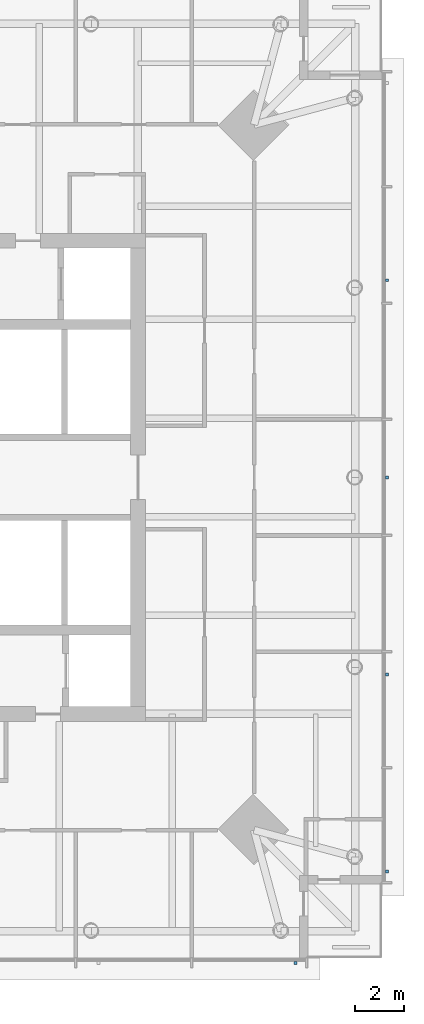
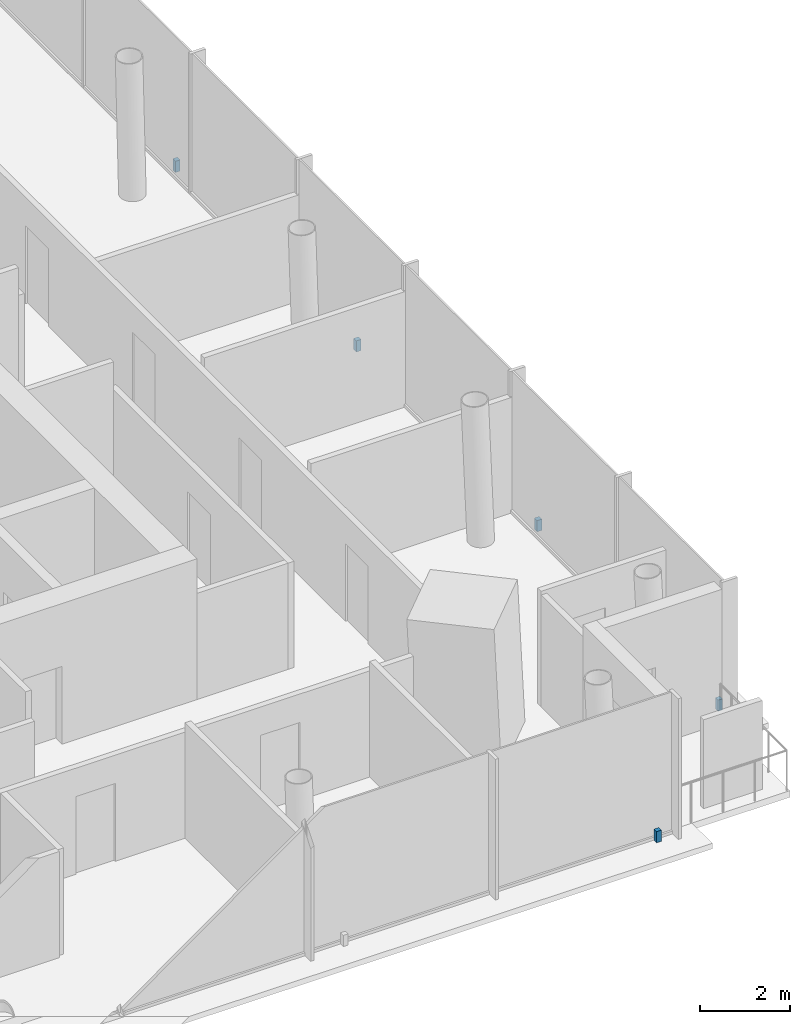
# One storey, part 9 of 11: 5 discrete accessories.
"""IFC4 building model written with IfcOpenShell, lengths in metres."""

from ifc_helpers import new_model, si_unit, direction, frame, origin, origin_2d, place, context, subcontext, project, spatial, rectangle, extrude, material, type_object, element, save


model = new_model("IFC4")

# Units and contexts
model_context = context("Model", 3, precision=1e-05, world=origin(), true_north=direction((0.0, 1.0)))
body_context = subcontext(model_context, "Body", "Model", "MODEL_VIEW")
ifc_project = project(units=[si_unit("LENGTHUNIT", "METRE"), si_unit("AREAUNIT", "SQUARE_METRE"), si_unit("VOLUMEUNIT", "CUBIC_METRE"), si_unit("PLANEANGLEUNIT", "RADIAN"), si_unit("MASSUNIT", "GRAM", prefix="KILO")], contexts=[model_context])

# Site, building, storey
site_placement = place(None, origin())
site = spatial("IfcSite", under=ifc_project, at=site_placement, CompositionType="ELEMENT")
building_placement = place(site_placement, origin())
building = spatial("IfcBuilding", under=site, at=building_placement, Name="Ostroluk Exchange", CompositionType="ELEMENT")
storey_placement = place(building_placement, frame((0.0, 0.0, 195.800048828125)))
storey = spatial("IfcBuildingStorey", under=building, at=storey_placement, Name="L50", CompositionType="ELEMENT", Elevation=195.800048828125)

# Discrete accessories
ifc_material = material(Name="Stainless steel", Category="steel")
discrete_accessory_type = type_object("IfcDiscreteAccessoryType", Name="Fall-arrest anchor PN-EN 795 type C", PredefinedType="USERDEFINED", material=ifc_material)
for number, where, z_axis, x_axis, name in (
    (1, (61.0, 26.2900390625, 0.0), (0.0, 0.0, 1.0), (1.0, 0.0, 0.0), "Fall-arrest anchor L50 south 5"),
    (2, (64.7099609375, 30.0, 0.0), (0.0, 0.0, 1.0), (1.0, 0.0, 0.0), "Fall-arrest anchor L50 east 1"),
    (3, (64.7099609375, 38.0, 0.0), (0.0, 0.0, 1.0), (1.0, 0.0, 0.0), "Fall-arrest anchor L50 east 2"),
    (4, (64.7099609375, 46.0, 0.0), (0.0, 0.0, 1.0), (1.0, 0.0, 0.0), "Fall-arrest anchor L50 east 3"),
    (5, (64.7099609375, 54.0, 0.0), (0.0, 0.0, 1.0), (1.0, 0.0, 0.0), "Fall-arrest anchor L50 east 4"),
):
    element("IfcDiscreteAccessory", number, at=place(storey_placement, frame(where, z_axis=z_axis, x_axis=x_axis)), inside=storey, type_object=discrete_accessory_type, Name=name, ObjectType="FALL ARREST ANCHOR", PredefinedType="USERDEFINED", context=body_context, shape_type="SweptSolid", body=[
        extrude(rectangle(XDim=0.1201171875, YDim=0.1201171875, at=origin_2d()), origin(), (0.0, 0.0, 1.0), 0.300048828125),
    ])

save(model, "model.ifc")
